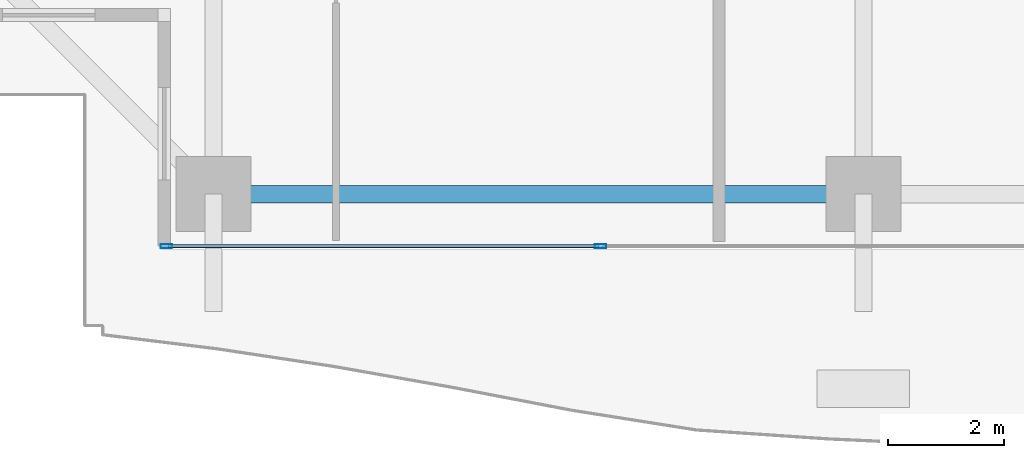
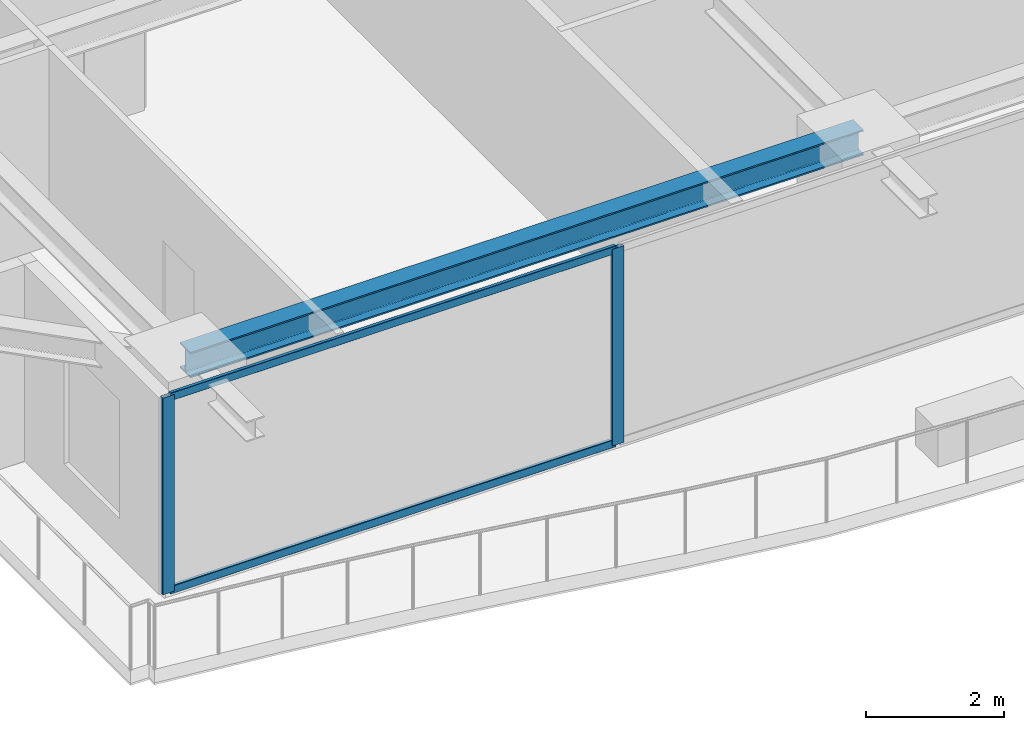
# One storey, part 2 of 36: 4 members, 1 beam, 1 element without a shape of its own.
"""IFC4 building model written with IfcOpenShell, lengths in metres."""

from ifc_helpers import new_model, si_unit, direction, frame, origin, origin_2d, place, context, subcontext, project, spatial, hollow_rectangle, i_section, extrude, source, transform, mapped, material, layer, layer_set, material_profile, profile_set, type_object, element, aggregate, save


model = new_model("IFC4")

# Units and contexts
model_context = context("Model", 3, precision=1e-05, world=origin(), true_north=direction((0.0, 1.0)))
body_context = subcontext(model_context, "Body", "Model", "MODEL_VIEW")
ifc_project = project(units=[si_unit("LENGTHUNIT", "METRE"), si_unit("AREAUNIT", "SQUARE_METRE"), si_unit("VOLUMEUNIT", "CUBIC_METRE"), si_unit("PLANEANGLEUNIT", "RADIAN"), si_unit("MASSUNIT", "GRAM", prefix="KILO")], contexts=[model_context])

# Site, building, storey
site_placement = place(None, origin())
site = spatial("IfcSite", under=ifc_project, at=site_placement, CompositionType="ELEMENT")
building_placement = place(site_placement, origin())
building = spatial("IfcBuilding", under=site, at=building_placement, Name="Serunith Strait Residences", CompositionType="ELEMENT")
storey_placement = place(building_placement, frame((0.0, 0.0, 131.39990234375)))
storey = spatial("IfcBuildingStorey", under=building, at=storey_placement, Name="L32", CompositionType="ELEMENT", Elevation=131.39990234375)

# Beam
ifc_material_1 = material(Name="Steel S355J2", Category="steel")
ifc_material_profile_1 = material_profile(ifc_material_1, i_section(OverallWidth=0.300048828125, OverallDepth=0.449951171875, WebThickness=0.013916015625, FlangeThickness=0.02587890625, FilletRadius=0.027099609375, at=origin_2d()), Name="HEB 450")
ifc_profile_set_1 = profile_set([ifc_material_profile_1], Name="Steel S355J2")
beam_type = type_object("IfcBeamType", Name="BM-HEB450", PredefinedType="BEAM", material=ifc_profile_set_1)
shared_shape_1 = source(origin(), body_context, "Body", "SweptSolid", [
    extrude(i_section(OverallWidth=0.300048828125, OverallDepth=0.449951171875, WebThickness=0.013916015625, FlangeThickness=0.02587890625, FilletRadius=0.027099609375, at=origin_2d()), origin(), (0.0, 0.0, 1.0), 11.25),
])
beam_placement = place(storey_placement, frame((16.64990234375, 2.300048828125, 3.26220703125), z_axis=(1.0, 0.0, 0.0), x_axis=(0.0, 1.0, 0.0)))
element("IfcBeam", 1, at=beam_placement, inside=storey, type_object=beam_type, Name="L32 Perimeter Ring Beam 01", PredefinedType="BEAM", context=body_context, shape_type="MappedRepresentation", body=[
    mapped(shared_shape_1, transform((0.0, 0.0, 0.0), scale=1.0)),
])

# Curtain wall, members
ifc_material_2 = material(Name="Pale-Champagne Anodised Aluminium", Category="aluminium")
ifc_layer = layer(ifc_material_2, 0.199951171875, Name="Pale-Champagne Anodised Aluminium")
ifc_layer_set = layer_set([ifc_layer], Name="Pale-Champagne Anodised Aluminium")
curtain_wall_type = type_object("IfcCurtainWallType", Name="CW-SYS2", PredefinedType="NOTDEFINED", material=ifc_layer_set)
curtain_wall_placement = place(storey_placement, origin())
curtain_wall = element("IfcCurtainWall", 2, at=curtain_wall_placement, inside=storey, type_object=curtain_wall_type, Name="L32 S Unitised Fritted Curtain Wall", PredefinedType="NOTDEFINED")
ifc_material_profile_2 = material_profile(ifc_material_2, hollow_rectangle(XDim=0.070068359375, YDim=0.199951171875, WallThickness=0.00390625, InnerFilletRadius=0.006103515625, OuterFilletRadius=0.010009765625, at=origin_2d()), Name="ALU 200x70x4")
ifc_profile_set_2 = profile_set([ifc_material_profile_2], Name="Pale-Champagne Anodised Aluminium")
member_type_1 = type_object("IfcMemberType", Name="CW-SYS2-MULL", PredefinedType="MULLION", material=ifc_profile_set_2)
shared_shape_2 = source(origin(), body_context, "Body", "SweptSolid", [
    extrude(hollow_rectangle(XDim=0.070068359375, YDim=0.199951171875, WallThickness=0.00390625, InnerFilletRadius=0.006103515625, OuterFilletRadius=0.010009765625, at=origin_2d()), origin(), (0.0, 0.0, 1.0), 3.47509765625),
])
member_1_placement = place(storey_placement, frame((15.8349609375, 1.39990234375, 0.0), z_axis=(0.0, 0.0, 1.0), x_axis=(0.0, 1.0, 0.0)))
member_1 = element("IfcMember", 3, at=member_1_placement, type_object=member_type_1, Name="CW-2 mullion 1", PredefinedType="MULLION", context=body_context, shape_type="MappedRepresentation", body=[
    mapped(shared_shape_2, transform((0.0, 0.0, 0.0), scale=1.0)),
])
member_2_placement = place(storey_placement, frame((23.35009765625, 1.39990234375, 0.0), z_axis=(0.0, 0.0, 1.0), x_axis=(0.0, 1.0, 0.0)))
member_2 = element("IfcMember", 4, at=member_2_placement, type_object=member_type_1, Name="CW-2 mullion 2", PredefinedType="MULLION", context=body_context, shape_type="MappedRepresentation", body=[
    mapped(shared_shape_2, transform((0.0, 0.0, 0.0), scale=1.0)),
])
ifc_material_profile_3 = material_profile(ifc_material_2, hollow_rectangle(XDim=0.06005859375, YDim=0.139892578125, WallThickness=0.00341796875, InnerFilletRadius=0.00537109375, OuterFilletRadius=0.0087890625, at=origin_2d()), Name="ALU 140x60x3.5")
ifc_profile_set_3 = profile_set([ifc_material_profile_3], Name="Pale-Champagne Anodised Aluminium")
member_type_2 = type_object("IfcMemberType", Name="CW-SYS2-TRAN", PredefinedType="USERDEFINED", material=ifc_profile_set_3)
shared_shape_3 = source(origin(), body_context, "Body", "SweptSolid", [
    extrude(hollow_rectangle(XDim=0.06005859375, YDim=0.139892578125, WallThickness=0.00341796875, InnerFilletRadius=0.00537109375, OuterFilletRadius=0.0087890625, at=origin_2d()), origin(), (0.0, 0.0, 1.0), 7.44482421875),
])
member_3_placement = place(storey_placement, frame((15.8701171875, 1.39990234375, 0.030029296875), z_axis=(1.0, 0.0, 0.0), x_axis=(0.0, 1.0, 0.0)))
member_3 = element("IfcMember", 5, at=member_3_placement, type_object=member_type_2, Name="CW-2 transom 1.1", ObjectType="TRANSOM", PredefinedType="USERDEFINED", context=body_context, shape_type="MappedRepresentation", body=[
    mapped(shared_shape_3, transform((0.0, 0.0, 0.0), scale=1.0)),
])
member_4_placement = place(storey_placement, frame((15.8701171875, 1.39990234375, 3.445068359375), z_axis=(1.0, 0.0, 0.0), x_axis=(0.0, 1.0, 0.0)))
member_4 = element("IfcMember", 6, at=member_4_placement, type_object=member_type_2, Name="CW-2 transom 1.2", ObjectType="TRANSOM", PredefinedType="USERDEFINED", context=body_context, shape_type="MappedRepresentation", body=[
    mapped(shared_shape_3, transform((0.0, 0.0, 0.0), scale=1.0)),
])
aggregate(curtain_wall, [member_1, member_2, member_3, member_4])

save(model, "model.ifc")
